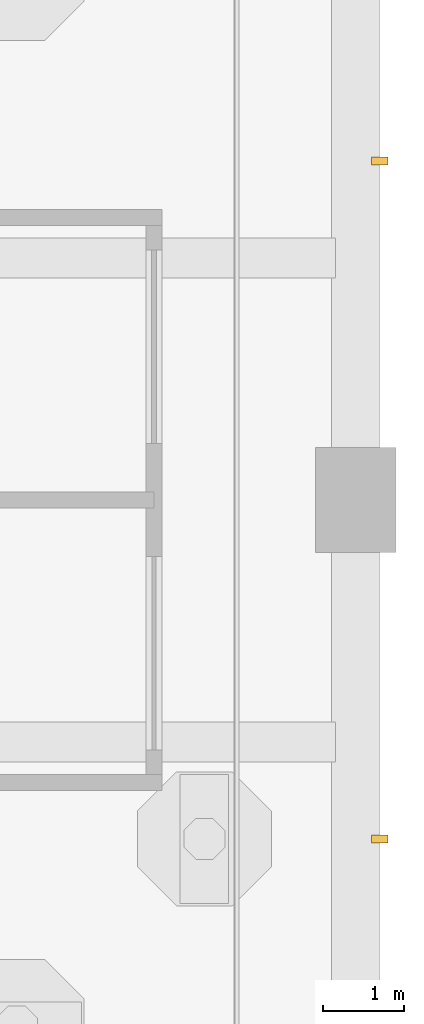
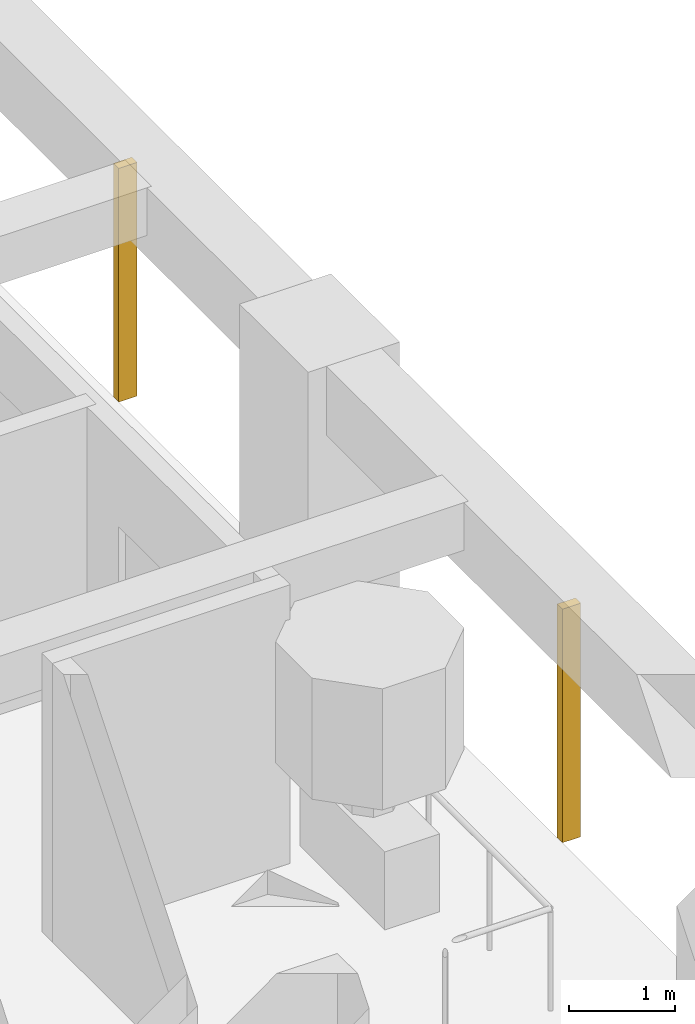
# One storey, part 16 of 19: 2 shading devices.
"""IFC4 building model written with IfcOpenShell, lengths in metres."""

from ifc_helpers import new_model, si_unit, direction, frame, origin, origin_2d, place, context, subcontext, project, spatial, rectangle, extrude, material, material_profile, profile_set, type_object, element, save


model = new_model("IFC4")

# Units and contexts
model_context = context("Model", 3, precision=1e-05, world=origin(), true_north=direction((0.0, 1.0)))
body_context = subcontext(model_context, "Body", "Model", "MODEL_VIEW")
ifc_project = project(units=[si_unit("LENGTHUNIT", "METRE"), si_unit("AREAUNIT", "SQUARE_METRE"), si_unit("VOLUMEUNIT", "CUBIC_METRE"), si_unit("PLANEANGLEUNIT", "RADIAN"), si_unit("MASSUNIT", "GRAM", prefix="KILO")], contexts=[model_context])

# Site, building, storey
site_placement = place(None, origin())
site = spatial("IfcSite", under=ifc_project, at=site_placement, CompositionType="ELEMENT")
building_placement = place(site_placement, origin())
building = spatial("IfcBuilding", under=site, at=building_placement, Name="Vermilion Gate Residences", CompositionType="ELEMENT")
storey_placement = place(building_placement, frame((0.0, 0.0, 119.699951171875)))
storey = spatial("IfcBuildingStorey", under=building, at=storey_placement, Name="L30", CompositionType="ELEMENT", Elevation=119.699951171875)

# Shading devices
ifc_material = material(Name="Extruded terracotta", Category="masonry")
ifc_material_profile = material_profile(ifc_material, rectangle(XDim=0.199951171875, YDim=0.10009765625, at=origin_2d()), Name="BAGUETTE 100 X 200")
ifc_profile_set = profile_set([ifc_material_profile], Name="Extruded terracotta")
shading_device_type = type_object("IfcShadingDeviceType", Name="TERRACOTTA BAGUETTE 100 X 200", PredefinedType="JALOUSIE", material=ifc_profile_set)
for number, where, z_axis, x_axis, name in (
    (1, (67.5, 12.60009765625, -0.280029296875), (0.0, 0.0, 1.0), (-1.0, 0.0, 0.0), "BAGUETTE"),
    (2, (67.5, 21.0, -0.280029296875), (0.0, 0.0, 1.0), (-1.0, 0.0, 0.0), "BAGUETTE"),
):
    element("IfcShadingDevice", number, at=place(storey_placement, frame(where, z_axis=z_axis, x_axis=x_axis)), inside=storey, type_object=shading_device_type, Name=name, PredefinedType="JALOUSIE", context=body_context, shape_type="SweptSolid", body=[
        extrude(rectangle(XDim=0.199951171875, YDim=0.10009765625, at=origin_2d()), origin(), (0.0, 0.0, 1.0), 2.7001953125),
    ])

save(model, "model.ifc")
